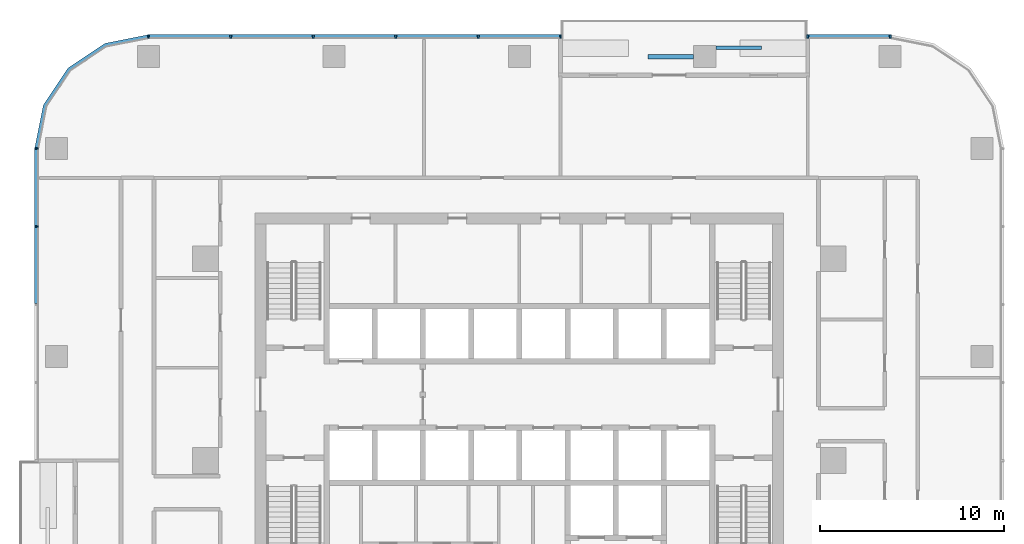
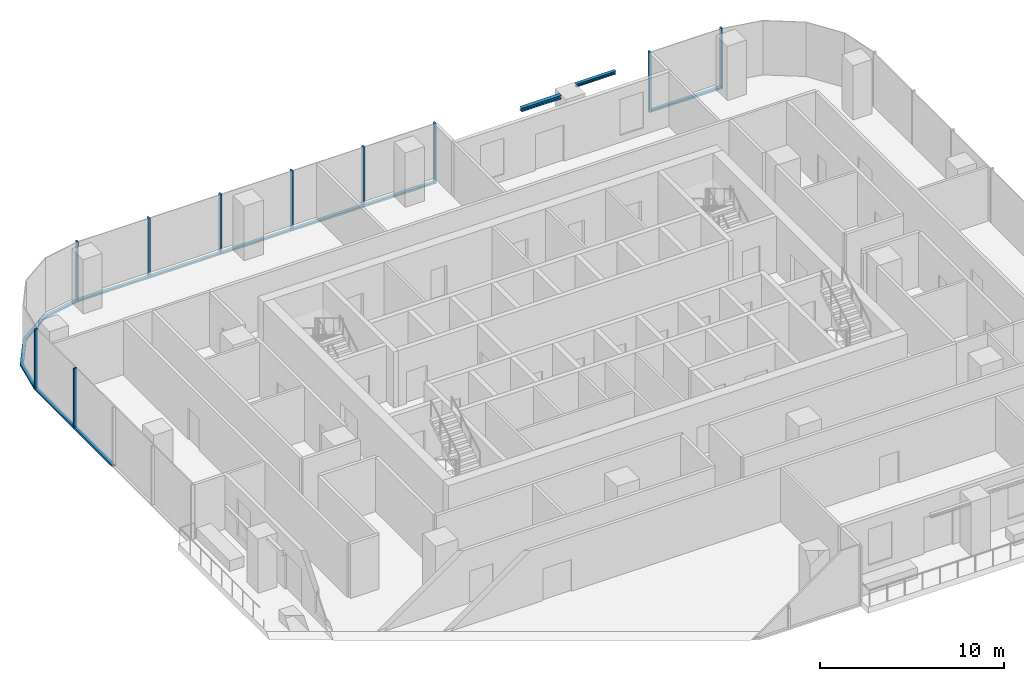
# One storey, part 4 of 14: 19 members, 2 beams, 4 elements without a shape of their own.
"""IFC4 building model written with IfcOpenShell, lengths in metres."""

from ifc_helpers import new_model, si_unit, direction, frame, origin, origin_2d, place, context, subcontext, project, spatial, polyline, rectangle, i_section, outline, extrude, material, material_profile, profile_set, type_object, element, aggregate, save


model = new_model("IFC4")

# Units and contexts
model_context = context("Model", 3, precision=1e-05, world=origin(), true_north=direction((0.0, 1.0)))
body_context = subcontext(model_context, "Body", "Model", "MODEL_VIEW")
ifc_project = project(units=[si_unit("LENGTHUNIT", "METRE"), si_unit("AREAUNIT", "SQUARE_METRE"), si_unit("VOLUMEUNIT", "CUBIC_METRE"), si_unit("PLANEANGLEUNIT", "RADIAN"), si_unit("MASSUNIT", "GRAM", prefix="KILO")], contexts=[model_context])

# Site, building, storey
site_placement = place(None, origin())
site = spatial("IfcSite", under=ifc_project, at=site_placement, CompositionType="ELEMENT")
building_placement = place(site_placement, origin())
building = spatial("IfcBuilding", under=site, at=building_placement, Name="Mopane Tessera Tower", CompositionType="ELEMENT")
storey_placement = place(building_placement, frame((0.0, 0.0, 189.0)))
storey = spatial("IfcBuildingStorey", under=building, at=storey_placement, Name="L39", CompositionType="ELEMENT", Elevation=189.0)

# Curtain wall, members
ifc_material_1 = material(Name="Aluminium frame", Category="aluminium")
curtain_wall_type = type_object("IfcCurtainWallType", Name="Unitised curtain wall", PredefinedType="NOTDEFINED", material=ifc_material_1)
curtain_wall_1_placement = place(storey_placement, origin())
curtain_wall_1 = element("IfcCurtainWall", 1, at=curtain_wall_1_placement, inside=storey, type_object=curtain_wall_type, Name="e:cw:L39:N:0", PredefinedType="NOTDEFINED")
ifc_material_2 = material(Name="Aluminium frame", Category="aluminium")
ifc_material_profile_1 = material_profile(ifc_material_2, rectangle(XDim=0.10009765625, YDim=0.199951171875, at=origin_2d()))
ifc_profile_set_1 = profile_set([ifc_material_profile_1], Name="Aluminium frame")
member_type_1 = type_object("IfcMemberType", Name="Aluminium mullion 100 x 200", PredefinedType="MULLION", material=ifc_profile_set_1)
member_1_placement = place(storey_placement, frame((20.199951171875, 23.10009765625, -0.39990234375), z_axis=(0.0, 0.0, 1.0), x_axis=(-1.0, 0.0, 0.0)))
member_1 = element("IfcMember", 2, at=member_1_placement, type_object=member_type_1, Name="e:cw:L39:N:0:mu0", PredefinedType="MULLION", context=body_context, shape_type="SweptSolid", body=[
    extrude(rectangle(XDim=0.10009765625, YDim=0.199951171875, at=origin_2d()), origin(), (0.0, 0.0, 1.0), 4.0),
])
member_2_placement = place(storey_placement, frame((15.711181640625, 23.10009765625, -0.39990234375), z_axis=(0.0, 0.0, 1.0), x_axis=(-1.0, 0.0, 0.0)))
member_2 = element("IfcMember", 3, at=member_2_placement, type_object=member_type_1, Name="e:cw:L39:N:0:mu1", PredefinedType="MULLION", context=body_context, shape_type="SweptSolid", body=[
    extrude(rectangle(XDim=0.10009765625, YDim=0.199951171875, at=origin_2d()), origin(), (0.0, 0.0, 1.0), 4.0),
])

curtain_wall_2_placement = place(storey_placement, origin())
curtain_wall_2 = element("IfcCurtainWall", 4, at=curtain_wall_2_placement, inside=storey, type_object=curtain_wall_type, Name="e:cw:L39:N:4", PredefinedType="NOTDEFINED")
member_3_placement = place(storey_placement, frame((2.244384765625, 23.10009765625, -0.39990234375), z_axis=(0.0, 0.0, 1.0), x_axis=(-1.0, 0.0, 0.0)))
member_3 = element("IfcMember", 5, at=member_3_placement, type_object=member_type_1, Name="e:cw:L39:N:4:mu4", PredefinedType="MULLION", context=body_context, shape_type="SweptSolid", body=[
    extrude(rectangle(XDim=0.10009765625, YDim=0.199951171875, at=origin_2d()), origin(), (0.0, 0.0, 1.0), 4.0),
])
member_4_placement = place(storey_placement, frame((-2.244384765625, 23.10009765625, -0.39990234375), z_axis=(0.0, 0.0, 1.0), x_axis=(-1.0, 0.0, 0.0)))
member_4 = element("IfcMember", 6, at=member_4_placement, type_object=member_type_1, Name="e:cw:L39:N:4:mu5", PredefinedType="MULLION", context=body_context, shape_type="SweptSolid", body=[
    extrude(rectangle(XDim=0.10009765625, YDim=0.199951171875, at=origin_2d()), origin(), (0.0, 0.0, 1.0), 4.0),
])
member_5_placement = place(storey_placement, frame((-6.7333984375, 23.10009765625, -0.39990234375), z_axis=(0.0, 0.0, 1.0), x_axis=(-1.0, 0.0, 0.0)))
member_5 = element("IfcMember", 7, at=member_5_placement, type_object=member_type_1, Name="e:cw:L39:N:4:mu6", PredefinedType="MULLION", context=body_context, shape_type="SweptSolid", body=[
    extrude(rectangle(XDim=0.10009765625, YDim=0.199951171875, at=origin_2d()), origin(), (0.0, 0.0, 1.0), 4.0),
])
member_6_placement = place(storey_placement, frame((-11.22216796875, 23.10009765625, -0.39990234375), z_axis=(0.0, 0.0, 1.0), x_axis=(-1.0, 0.0, 0.0)))
member_6 = element("IfcMember", 8, at=member_6_placement, type_object=member_type_1, Name="e:cw:L39:N:4:mu7", PredefinedType="MULLION", context=body_context, shape_type="SweptSolid", body=[
    extrude(rectangle(XDim=0.10009765625, YDim=0.199951171875, at=origin_2d()), origin(), (0.0, 0.0, 1.0), 4.0),
])
member_7_placement = place(storey_placement, frame((-15.711181640625, 23.10009765625, -0.39990234375), z_axis=(0.0, 0.0, 1.0), x_axis=(-1.0, 0.0, 0.0)))
member_7 = element("IfcMember", 9, at=member_7_placement, type_object=member_type_1, Name="e:cw:L39:N:4:mu8", PredefinedType="MULLION", context=body_context, shape_type="SweptSolid", body=[
    extrude(rectangle(XDim=0.10009765625, YDim=0.199951171875, at=origin_2d()), origin(), (0.0, 0.0, 1.0), 4.0),
])
member_8_placement = place(storey_placement, frame((-20.199951171875, 23.10009765625, -0.39990234375), z_axis=(0.0, 0.0, 1.0), x_axis=(-1.0, 0.0, 0.0)))
member_8 = element("IfcMember", 10, at=member_8_placement, type_object=member_type_1, Name="e:cw:L39:N:4:mu9", PredefinedType="MULLION", context=body_context, shape_type="SweptSolid", body=[
    extrude(rectangle(XDim=0.10009765625, YDim=0.199951171875, at=origin_2d()), origin(), (0.0, 0.0, 1.0), 4.0),
])

curtain_wall_3_placement = place(storey_placement, origin())
curtain_wall_3 = element("IfcCurtainWall", 11, at=curtain_wall_3_placement, inside=storey, type_object=curtain_wall_type, Name="e:cw:L39:W:0", PredefinedType="NOTDEFINED")
member_9_placement = place(storey_placement, frame((-26.300048828125, 17.0, -0.39990234375), z_axis=(0.0, 0.0, 1.0), x_axis=(0.0, -1.0, 0.0)))
member_9 = element("IfcMember", 12, at=member_9_placement, type_object=member_type_1, Name="e:cw:L39:W:0:mu0", PredefinedType="MULLION", context=body_context, shape_type="SweptSolid", body=[
    extrude(rectangle(XDim=0.10009765625, YDim=0.199951171875, at=origin_2d()), origin(), (0.0, 0.0, 1.0), 4.0),
])
member_10_placement = place(storey_placement, frame((-26.300048828125, 12.75, -0.39990234375), z_axis=(0.0, 0.0, 1.0), x_axis=(0.0, -1.0, 0.0)))
member_10 = element("IfcMember", 13, at=member_10_placement, type_object=member_type_1, Name="e:cw:L39:W:0:mu1", PredefinedType="MULLION", context=body_context, shape_type="SweptSolid", body=[
    extrude(rectangle(XDim=0.10009765625, YDim=0.199951171875, at=origin_2d()), origin(), (0.0, 0.0, 1.0), 4.0),
])

# Member
ifc_material_3 = material(Name="Aluminium frame", Category="aluminium")
ifc_material_profile_2 = material_profile(ifc_material_3, rectangle(XDim=0.199951171875, YDim=0.1201171875, at=origin_2d()))
ifc_profile_set_2 = profile_set([ifc_material_profile_2], Name="Aluminium frame")
member_type_2 = type_object("IfcMemberType", Name="Aluminium transom 200 x 120", PredefinedType="USERDEFINED", material=ifc_profile_set_2)
member_11_placement = place(storey_placement, frame((20.14990234375, 23.10009765625, -0.340087890625), z_axis=(-1.0, 0.0, 0.0), x_axis=(0.0, -1.0, 0.0)))
member_11 = element("IfcMember", 14, at=member_11_placement, type_object=member_type_2, Name="e:cw:L39:N:0:tr0", ObjectType="TRANSOM", PredefinedType="USERDEFINED", context=body_context, shape_type="SweptSolid", body=[
    extrude(rectangle(XDim=0.199951171875, YDim=0.1201171875, at=origin_2d()), origin(), (0.0, 0.0, 1.0), 4.388671875),
])

aggregate(curtain_wall_1, [member_1, member_2, member_11])

member_12_placement = place(storey_placement, frame((2.1943359375, 23.10009765625, -0.340087890625), z_axis=(-1.0, 0.0, 0.0), x_axis=(0.0, -1.0, 0.0)))
member_12 = element("IfcMember", 15, at=member_12_placement, type_object=member_type_2, Name="e:cw:L39:N:4:tr4", ObjectType="TRANSOM", PredefinedType="USERDEFINED", context=body_context, shape_type="SweptSolid", body=[
    extrude(rectangle(XDim=0.199951171875, YDim=0.1201171875, at=origin_2d()), origin(), (0.0, 0.0, 1.0), 4.388671875),
])

member_13_placement = place(storey_placement, frame((-2.29443359375, 23.10009765625, -0.340087890625), z_axis=(-1.0, 0.0, 0.0), x_axis=(0.0, -1.0, 0.0)))
member_13 = element("IfcMember", 16, at=member_13_placement, type_object=member_type_2, Name="e:cw:L39:N:4:tr5", ObjectType="TRANSOM", PredefinedType="USERDEFINED", context=body_context, shape_type="SweptSolid", body=[
    extrude(rectangle(XDim=0.199951171875, YDim=0.1201171875, at=origin_2d()), origin(), (0.0, 0.0, 1.0), 4.388916015625),
])

member_14_placement = place(storey_placement, frame((-6.783447265625, 23.10009765625, -0.340087890625), z_axis=(-1.0, 0.0, 0.0), x_axis=(0.0, -1.0, 0.0)))
member_14 = element("IfcMember", 17, at=member_14_placement, type_object=member_type_2, Name="e:cw:L39:N:4:tr6", ObjectType="TRANSOM", PredefinedType="USERDEFINED", context=body_context, shape_type="SweptSolid", body=[
    extrude(rectangle(XDim=0.199951171875, YDim=0.1201171875, at=origin_2d()), origin(), (0.0, 0.0, 1.0), 4.388671875),
])

member_15_placement = place(storey_placement, frame((-11.272216796875, 23.10009765625, -0.340087890625), z_axis=(-1.0, 0.0, 0.0), x_axis=(0.0, -1.0, 0.0)))
member_15 = element("IfcMember", 18, at=member_15_placement, type_object=member_type_2, Name="e:cw:L39:N:4:tr7", ObjectType="TRANSOM", PredefinedType="USERDEFINED", context=body_context, shape_type="SweptSolid", body=[
    extrude(rectangle(XDim=0.199951171875, YDim=0.1201171875, at=origin_2d()), origin(), (0.0, 0.0, 1.0), 4.388916015625),
])

member_16_placement = place(storey_placement, frame((-15.76123046875, 23.10009765625, -0.340087890625), z_axis=(-1.0, 0.0, 0.0), x_axis=(0.0, -1.0, 0.0)))
member_16 = element("IfcMember", 19, at=member_16_placement, type_object=member_type_2, Name="e:cw:L39:N:4:tr8", ObjectType="TRANSOM", PredefinedType="USERDEFINED", context=body_context, shape_type="SweptSolid", body=[
    extrude(rectangle(XDim=0.199951171875, YDim=0.1201171875, at=origin_2d()), origin(), (0.0, 0.0, 1.0), 4.388671875),
])

aggregate(curtain_wall_2, [member_3, member_4, member_5, member_6, member_7, member_8, member_12, member_13, member_14, member_15, member_16])

# Curtain wall, member
curtain_wall_4_placement = place(storey_placement, origin())
curtain_wall_4 = element("IfcCurtainWall", 20, at=curtain_wall_4_placement, inside=storey, type_object=curtain_wall_type, Name="e:cw:L39:CN", PredefinedType="NOTDEFINED")
member_17_placement = place(storey_placement, frame((0.0, 0.0, -0.39990234375)))
member_17 = element("IfcMember", 21, at=member_17_placement, type_object=member_type_2, Name="e:cw:L39:CN:tr", ObjectType="TRANSOM", PredefinedType="USERDEFINED", context=body_context, shape_type="SweptSolid", body=[
    extrude(outline(polyline([(-20.199951171875, 23.0), (-22.49609375, 22.543212890625), (-24.442626953125, 21.24267578125), (-25.7431640625, 19.296142578125), (-26.199951171875, 17.0), (-26.39990234375, 17.0), (-25.927978515625, 19.37255859375), (-24.583984375, 21.384033203125), (-22.57275390625, 22.72802734375), (-20.199951171875, 23.199951171875), (-20.199951171875, 23.0)])), origin(), (0.0, 0.0, 1.0), 0.119873046875),
])
aggregate(curtain_wall_4, [member_17])

# Member
member_18_placement = place(storey_placement, frame((-26.300048828125, 16.949951171875, -0.340087890625), z_axis=(0.0, -1.0, 0.0), x_axis=(1.0, 0.0, 0.0)))
member_18 = element("IfcMember", 22, at=member_18_placement, type_object=member_type_2, Name="e:cw:L39:W:0:tr0", ObjectType="TRANSOM", PredefinedType="USERDEFINED", context=body_context, shape_type="SweptSolid", body=[
    extrude(rectangle(XDim=0.199951171875, YDim=0.1201171875, at=origin_2d()), origin(), (0.0, 0.0, 1.0), 4.14990234375),
])

member_19_placement = place(storey_placement, frame((-26.300048828125, 12.699951171875, -0.340087890625), z_axis=(0.0, -1.0, 0.0), x_axis=(1.0, 0.0, 0.0)))
member_19 = element("IfcMember", 23, at=member_19_placement, type_object=member_type_2, Name="e:cw:L39:W:0:tr1", ObjectType="TRANSOM", PredefinedType="USERDEFINED", context=body_context, shape_type="SweptSolid", body=[
    extrude(rectangle(XDim=0.199951171875, YDim=0.1201171875, at=origin_2d()), origin(), (0.0, 0.0, 1.0), 4.14990234375),
])

aggregate(curtain_wall_3, [member_9, member_10, member_18, member_19])

# Beams
ifc_material_4 = material(Name="Structural steel S460", Category="steel")
ifc_material_profile_3 = material_profile(ifc_material_4, i_section(OverallWidth=0.239990234375, OverallDepth=0.239990234375, WebThickness=0.010009765625, FlangeThickness=0.01708984375, FilletRadius=0.02099609375, at=origin_2d()))
ifc_profile_set_3 = profile_set([ifc_material_profile_3], Name="Structural steel S460")
beam_type_1 = type_object("IfcBeamType", Name="Terrace spandrel beam HE 240 B", PredefinedType="SPANDREL", material=ifc_profile_set_3)
beam_1_placement = place(storey_placement, frame((9.4970703125, 22.0, 3.47998046875), z_axis=(-1.0, 0.0, 0.0), x_axis=(0.0, -1.0, 0.0)))
element("IfcBeam", 24, at=beam_1_placement, inside=storey, type_object=beam_type_1, Name="Terrace spandrel beam N3 L40", PredefinedType="SPANDREL", context=body_context, shape_type="SweptSolid", body=[
    extrude(i_section(OverallWidth=0.239990234375, OverallDepth=0.239990234375, WebThickness=0.010009765625, FlangeThickness=0.01708984375, FilletRadius=0.02099609375, at=origin_2d()), origin(), (0.0, 0.0, 1.0), 2.5),
])
ifc_material_5 = material(Name="Structural steel S460", Category="steel")
ifc_material_profile_4 = material_profile(ifc_material_5, i_section(OverallWidth=0.199951171875, OverallDepth=0.199951171875, WebThickness=0.009033203125, FlangeThickness=0.014892578125, FilletRadius=0.01806640625, at=origin_2d()))
ifc_profile_set_4 = profile_set([ifc_material_profile_4], Name="Structural steel S460")
beam_type_2 = type_object("IfcBeamType", Name="Terrace trimmer beam HE 200 B", PredefinedType="BEAM", material=ifc_profile_set_4)
beam_2_placement = place(storey_placement, frame((10.703125, 22.47998046875, 3.5), z_axis=(1.0, 0.0, 0.0), x_axis=(0.0, 1.0, 0.0)))
element("IfcBeam", 25, at=beam_2_placement, inside=storey, type_object=beam_type_2, Name="Terrace trimmer beam N3 L40", PredefinedType="BEAM", context=body_context, shape_type="SweptSolid", body=[
    extrude(i_section(OverallWidth=0.199951171875, OverallDepth=0.199951171875, WebThickness=0.009033203125, FlangeThickness=0.014892578125, FilletRadius=0.01806640625, at=origin_2d()), origin(), (0.0, 0.0, 1.0), 2.5),
])

save(model, "model.ifc")
